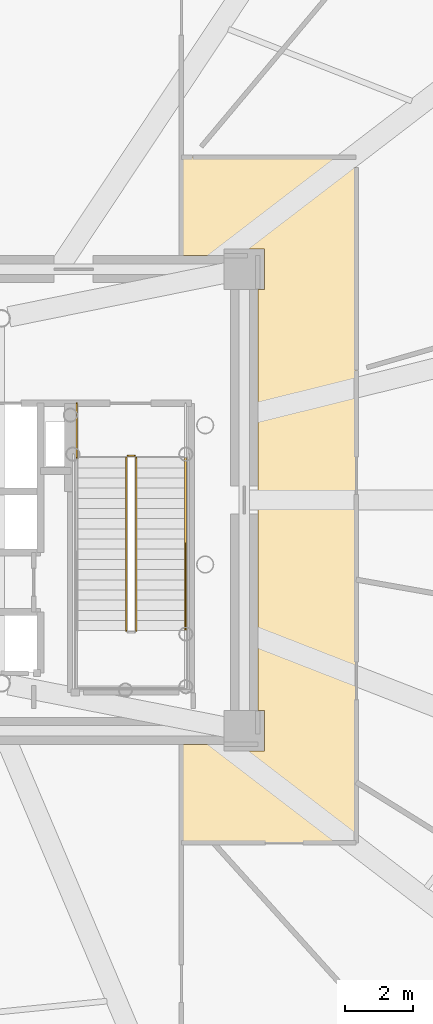
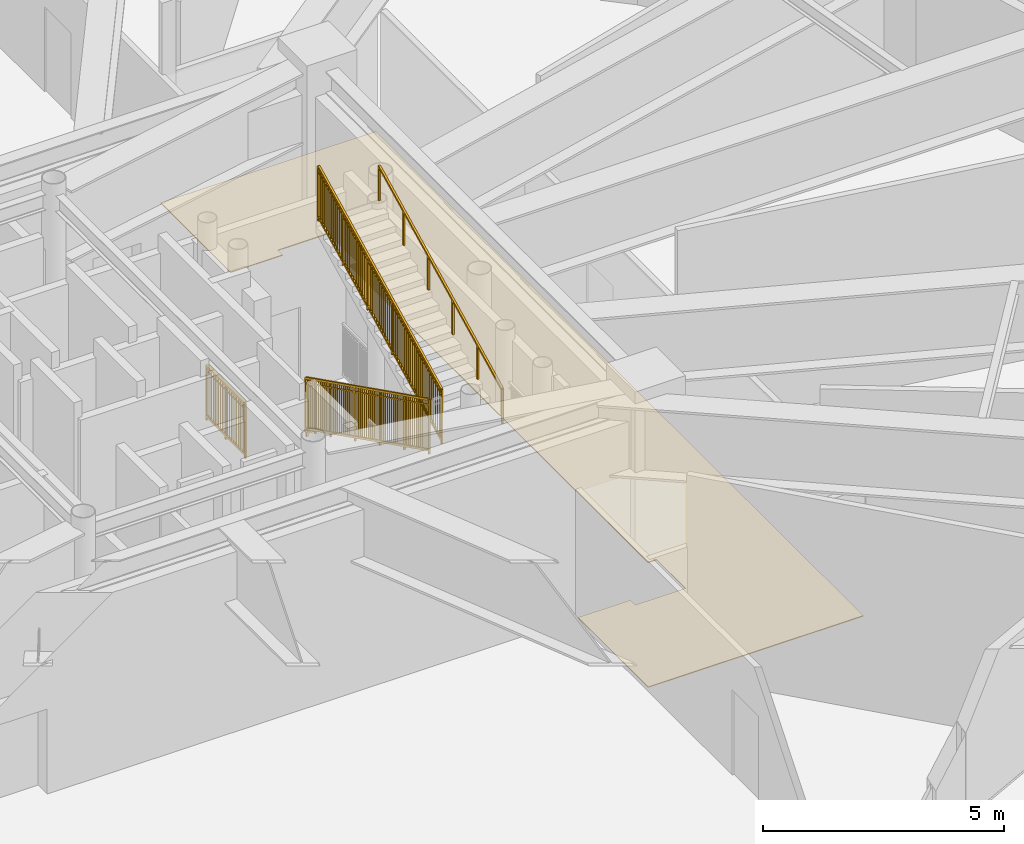
# One storey, part 14 of 15: 5 railings, 1 covering.
"""IFC4 building model written with IfcOpenShell, lengths in metres."""

from ifc_helpers import new_model, si_unit, direction, frame, origin, origin_2d, place, context, subcontext, project, spatial, polyline, rectangle, outline, extrude, source, transform, mapped, material, layer, layer_set, type_object, element, save


model = new_model("IFC4")

# Units and contexts
model_context = context("Model", 3, precision=1e-05, world=origin(), true_north=direction((0.0, 1.0)))
body_context = subcontext(model_context, "Body", "Model", "MODEL_VIEW")
ifc_project = project(units=[si_unit("LENGTHUNIT", "METRE"), si_unit("AREAUNIT", "SQUARE_METRE"), si_unit("VOLUMEUNIT", "CUBIC_METRE"), si_unit("PLANEANGLEUNIT", "RADIAN"), si_unit("MASSUNIT", "GRAM", prefix="KILO")], contexts=[model_context])

# Site, building, storey
site_placement = place(None, origin())
site = spatial("IfcSite", under=ifc_project, at=site_placement, CompositionType="ELEMENT")
building_placement = place(site_placement, origin())
building = spatial("IfcBuilding", under=site, at=building_placement, Name="Linh Dai School and Residence Tower", CompositionType="ELEMENT")
storey_placement = place(building_placement, frame((0.0, 0.0, 145.949951171875)))
storey = spatial("IfcBuildingStorey", under=building, at=storey_placement, Name="L35", CompositionType="ELEMENT", Elevation=145.949951171875)

# Covering
ifc_material_1 = material(Name="Polished Terrazzo Floor Finish", Category="masonry")
ifc_layer = layer(ifc_material_1, 0.02490234375)
ifc_layer_set = layer_set([ifc_layer], Name="Polished Terrazzo Floor Finish")
covering_type = type_object("IfcCoveringType", Name="COV-FLR-TRZ-25", PredefinedType="FLOORING", material=ifc_layer_set)
covering_placement = place(storey_placement, origin())
element("IfcCovering", 1, at=covering_placement, inside=storey, type_object=covering_type, Name="L35 Plant and Refuge Access Corridor East Floor Finish", PredefinedType="FLOORING", context=body_context, shape_type="SweptSolid", body=[
    extrude(outline(polyline([(44.14990234375, 19.800048828125), (45.39990234375, 19.800048828125), (45.39990234375, 19.60009765625), (46.60009765625, 19.60009765625), (46.60009765625, 20.800048828125), (46.39990234375, 20.800048828125), (46.39990234375, 33.199951171875), (46.60009765625, 33.199951171875), (46.60009765625, 34.39990234375), (45.39990234375, 34.39990234375), (45.39990234375, 34.199951171875), (44.14990234375, 34.199951171875), (44.14990234375, 37.10009765625), (49.300048828125, 37.10009765625), (49.300048828125, 16.89990234375), (44.14990234375, 16.89990234375), (44.14990234375, 19.800048828125)])), origin(), (0.0, 0.0, 1.0), 0.02001953125),
])

# Railings
ifc_material_2 = material(Name="Structural Steel S355JR", Category="steel")
railing_type_1 = type_object("IfcRailingType", Name="RL-ST-GUARD-1400", PredefinedType="GUARDRAIL", material=ifc_material_2)
shared_shape_1 = source(origin(), body_context, "Body", "SweptSolid", [
    extrude(rectangle(XDim=0.048095703125, YDim=0.048095703125, at=origin_2d()), frame((0.0, 0.0, 1.3759765625), z_axis=(0.0, 0.894427191, 0.4472135955), x_axis=(-1.0, 0.0, 0.0)), (0.0, 0.0, 1.0), 5.7021484375),
    extrude(rectangle(XDim=0.048095703125, YDim=0.048095703125, at=origin_2d()), frame((0.0, 0.0, 0.10009765625), z_axis=(0.0, 0.894427191, 0.4472135955), x_axis=(-1.0, 0.0, 0.0)), (0.0, 0.0, 1.0), 5.7021484375),
    extrude(rectangle(XDim=0.030029296875, YDim=0.030029296875, at=origin_2d()), frame((0.0, 0.0, 1.239990234375), z_axis=(0.0, 0.894427191, 0.4472135955), x_axis=(-1.0, 0.0, 0.0)), (0.0, 0.0, 1.0), 5.7021484375),
    extrude(rectangle(XDim=0.02001953125, YDim=0.02001953125, at=origin_2d()), frame((0.0, 0.08642578125, 0.143310546875)), (0.0, 0.0, 1.0), 1.251708984375),
    extrude(rectangle(XDim=0.02001953125, YDim=0.02001953125, at=origin_2d()), frame((0.0, 0.1728515625, 0.1865234375)), (0.0, 0.0, 1.0), 1.251708984375),
    extrude(rectangle(XDim=0.02001953125, YDim=0.02001953125, at=origin_2d()), frame((0.0, 0.25927734375, 0.229736328125)), (0.0, 0.0, 1.0), 1.251708984375),
    extrude(rectangle(XDim=0.02001953125, YDim=0.02001953125, at=origin_2d()), frame((0.0, 0.345703125, 0.27294921875)), (0.0, 0.0, 1.0), 1.251708984375),
    extrude(rectangle(XDim=0.02001953125, YDim=0.02001953125, at=origin_2d()), frame((0.0, 0.43212890625, 0.316162109375)), (0.0, 0.0, 1.0), 1.251708984375),
    extrude(rectangle(XDim=0.02001953125, YDim=0.02001953125, at=origin_2d()), frame((0.0, 0.5185546875, 0.359375)), (0.0, 0.0, 1.0), 1.251708984375),
    extrude(rectangle(XDim=0.02001953125, YDim=0.02001953125, at=origin_2d()), frame((0.0, 0.60498046875, 0.402587890625)), (0.0, 0.0, 1.0), 1.251708984375),
    extrude(rectangle(XDim=0.02001953125, YDim=0.02001953125, at=origin_2d()), frame((0.0, 0.691650390625, 0.44580078125)), (0.0, 0.0, 1.0), 1.251708984375),
    extrude(rectangle(XDim=0.02001953125, YDim=0.02001953125, at=origin_2d()), frame((0.0, 0.778076171875, 0.489013671875)), (0.0, 0.0, 1.0), 1.251708984375),
    extrude(rectangle(XDim=0.02001953125, YDim=0.02001953125, at=origin_2d()), frame((0.0, 0.864501953125, 0.5322265625)), (0.0, 0.0, 1.0), 1.251708984375),
    extrude(rectangle(XDim=0.02001953125, YDim=0.02001953125, at=origin_2d()), frame((0.0, 0.950927734375, 0.575439453125)), (0.0, 0.0, 1.0), 1.251708984375),
    extrude(rectangle(XDim=0.02001953125, YDim=0.02001953125, at=origin_2d()), frame((0.0, 1.123779296875, 0.661865234375)), (0.0, 0.0, 1.0), 1.251708984375),
    extrude(rectangle(XDim=0.02001953125, YDim=0.02001953125, at=origin_2d()), frame((0.0, 1.210205078125, 0.705078125)), (0.0, 0.0, 1.0), 1.251708984375),
    extrude(rectangle(XDim=0.02001953125, YDim=0.02001953125, at=origin_2d()), frame((0.0, 1.296630859375, 0.74853515625)), (0.0, 0.0, 1.0), 1.251708984375),
    extrude(rectangle(XDim=0.02001953125, YDim=0.02001953125, at=origin_2d()), frame((0.0, 1.383056640625, 0.791748046875)), (0.0, 0.0, 1.0), 1.251708984375),
    extrude(rectangle(XDim=0.02001953125, YDim=0.02001953125, at=origin_2d()), frame((0.0, 1.469482421875, 0.8349609375)), (0.0, 0.0, 1.0), 1.251708984375),
    extrude(rectangle(XDim=0.02001953125, YDim=0.02001953125, at=origin_2d()), frame((0.0, 1.555908203125, 0.878173828125)), (0.0, 0.0, 1.0), 1.251708984375),
    extrude(rectangle(XDim=0.02001953125, YDim=0.02001953125, at=origin_2d()), frame((0.0, 1.642333984375, 0.92138671875)), (0.0, 0.0, 1.0), 1.251708984375),
    extrude(rectangle(XDim=0.02001953125, YDim=0.02001953125, at=origin_2d()), frame((0.0, 1.728759765625, 0.964599609375)), (0.0, 0.0, 1.0), 1.251708984375),
    extrude(rectangle(XDim=0.02001953125, YDim=0.02001953125, at=origin_2d()), frame((0.0, 1.815185546875, 1.0078125)), (0.0, 0.0, 1.0), 1.251708984375),
    extrude(rectangle(XDim=0.02001953125, YDim=0.02001953125, at=origin_2d()), frame((0.0, 1.901611328125, 1.051025390625)), (0.0, 0.0, 1.0), 1.251708984375),
    extrude(rectangle(XDim=0.02001953125, YDim=0.02001953125, at=origin_2d()), frame((0.0, 1.98828125, 1.09423828125)), (0.0, 0.0, 1.0), 1.251708984375),
    extrude(rectangle(XDim=0.02001953125, YDim=0.02001953125, at=origin_2d()), frame((0.0, 2.1611328125, 1.1806640625)), (0.0, 0.0, 1.0), 1.251708984375),
    extrude(rectangle(XDim=0.02001953125, YDim=0.02001953125, at=origin_2d()), frame((0.0, 2.24755859375, 1.223876953125)), (0.0, 0.0, 1.0), 1.251708984375),
    extrude(rectangle(XDim=0.02001953125, YDim=0.02001953125, at=origin_2d()), frame((0.0, 2.333984375, 1.26708984375)), (0.0, 0.0, 1.0), 1.251708984375),
    extrude(rectangle(XDim=0.02001953125, YDim=0.02001953125, at=origin_2d()), frame((0.0, 2.42041015625, 1.310302734375)), (0.0, 0.0, 1.0), 1.251708984375),
    extrude(rectangle(XDim=0.02001953125, YDim=0.02001953125, at=origin_2d()), frame((0.0, 2.5068359375, 1.353515625)), (0.0, 0.0, 1.0), 1.251708984375),
    extrude(rectangle(XDim=0.02001953125, YDim=0.02001953125, at=origin_2d()), frame((0.0, 2.59326171875, 1.396728515625)), (0.0, 0.0, 1.0), 1.251708984375),
    extrude(rectangle(XDim=0.02001953125, YDim=0.02001953125, at=origin_2d()), frame((0.0, 2.6796875, 1.43994140625)), (0.0, 0.0, 1.0), 1.251708984375),
    extrude(rectangle(XDim=0.02001953125, YDim=0.02001953125, at=origin_2d()), frame((0.0, 2.76611328125, 1.483154296875)), (0.0, 0.0, 1.0), 1.251708984375),
    extrude(rectangle(XDim=0.02001953125, YDim=0.02001953125, at=origin_2d()), frame((0.0, 2.8525390625, 1.5263671875)), (0.0, 0.0, 1.0), 1.251708984375),
    extrude(rectangle(XDim=0.02001953125, YDim=0.02001953125, at=origin_2d()), frame((0.0, 2.93896484375, 1.569580078125)), (0.0, 0.0, 1.0), 1.251708984375),
    extrude(rectangle(XDim=0.02001953125, YDim=0.02001953125, at=origin_2d()), frame((0.0, 3.11181640625, 1.656005859375)), (0.0, 0.0, 1.0), 1.251708984375),
    extrude(rectangle(XDim=0.02001953125, YDim=0.02001953125, at=origin_2d()), frame((0.0, 3.198486328125, 1.69921875)), (0.0, 0.0, 1.0), 1.251708984375),
    extrude(rectangle(XDim=0.02001953125, YDim=0.02001953125, at=origin_2d()), frame((0.0, 3.284912109375, 1.742431640625)), (0.0, 0.0, 1.0), 1.251708984375),
    extrude(rectangle(XDim=0.02001953125, YDim=0.02001953125, at=origin_2d()), frame((0.0, 3.371337890625, 1.78564453125)), (0.0, 0.0, 1.0), 1.251708984375),
    extrude(rectangle(XDim=0.02001953125, YDim=0.02001953125, at=origin_2d()), frame((0.0, 3.457763671875, 1.828857421875)), (0.0, 0.0, 1.0), 1.251708984375),
    extrude(rectangle(XDim=0.02001953125, YDim=0.02001953125, at=origin_2d()), frame((0.0, 3.544189453125, 1.8720703125)), (0.0, 0.0, 1.0), 1.251708984375),
    extrude(rectangle(XDim=0.02001953125, YDim=0.02001953125, at=origin_2d()), frame((0.0, 3.630615234375, 1.915283203125)), (0.0, 0.0, 1.0), 1.251708984375),
    extrude(rectangle(XDim=0.02001953125, YDim=0.02001953125, at=origin_2d()), frame((0.0, 3.717041015625, 1.95849609375)), (0.0, 0.0, 1.0), 1.251708984375),
    extrude(rectangle(XDim=0.02001953125, YDim=0.02001953125, at=origin_2d()), frame((0.0, 3.803466796875, 2.001708984375)), (0.0, 0.0, 1.0), 1.251708984375),
    extrude(rectangle(XDim=0.02001953125, YDim=0.02001953125, at=origin_2d()), frame((0.0, 3.889892578125, 2.045166015625)), (0.0, 0.0, 1.0), 1.251708984375),
    extrude(rectangle(XDim=0.02001953125, YDim=0.02001953125, at=origin_2d()), frame((0.0, 3.976318359375, 2.08837890625)), (0.0, 0.0, 1.0), 1.251708984375),
    extrude(rectangle(XDim=0.02001953125, YDim=0.02001953125, at=origin_2d()), frame((0.0, 4.149169921875, 2.1748046875)), (0.0, 0.0, 1.0), 1.251708984375),
    extrude(rectangle(XDim=0.02001953125, YDim=0.02001953125, at=origin_2d()), frame((0.0, 4.235595703125, 2.218017578125)), (0.0, 0.0, 1.0), 1.251708984375),
    extrude(rectangle(XDim=0.02001953125, YDim=0.02001953125, at=origin_2d()), frame((0.0, 4.322021484375, 2.26123046875)), (0.0, 0.0, 1.0), 1.251708984375),
    extrude(rectangle(XDim=0.02001953125, YDim=0.02001953125, at=origin_2d()), frame((0.0, 4.408447265625, 2.304443359375)), (0.0, 0.0, 1.0), 1.251708984375),
    extrude(rectangle(XDim=0.02001953125, YDim=0.02001953125, at=origin_2d()), frame((0.0, 4.4951171875, 2.34765625)), (0.0, 0.0, 1.0), 1.251708984375),
    extrude(rectangle(XDim=0.02001953125, YDim=0.02001953125, at=origin_2d()), frame((0.0, 4.58154296875, 2.390869140625)), (0.0, 0.0, 1.0), 1.251708984375),
    extrude(rectangle(XDim=0.02001953125, YDim=0.02001953125, at=origin_2d()), frame((0.0, 4.66796875, 2.43408203125)), (0.0, 0.0, 1.0), 1.251708984375),
    extrude(rectangle(XDim=0.02001953125, YDim=0.02001953125, at=origin_2d()), frame((0.0, 4.75439453125, 2.477294921875)), (0.0, 0.0, 1.0), 1.251708984375),
    extrude(rectangle(XDim=0.02001953125, YDim=0.02001953125, at=origin_2d()), frame((0.0, 4.8408203125, 2.5205078125)), (0.0, 0.0, 1.0), 1.251708984375),
    extrude(rectangle(XDim=0.02001953125, YDim=0.02001953125, at=origin_2d()), frame((0.0, 4.92724609375, 2.563720703125)), (0.0, 0.0, 1.0), 1.251708984375),
    extrude(rectangle(XDim=0.02001953125, YDim=0.02001953125, at=origin_2d()), frame((0.0, 5.013671875, 2.60693359375)), (0.0, 0.0, 1.0), 1.251708984375),
    extrude(rectangle(XDim=0.0419921875, YDim=0.0419921875, at=origin_2d()), origin(), (0.0, 0.0, 1.0), 1.3759765625),
    extrude(rectangle(XDim=0.0419921875, YDim=0.0419921875, at=origin_2d()), frame((0.0, 1.02001953125, 0.510009765625)), (0.0, 0.0, 1.0), 1.3759765625),
    extrude(rectangle(XDim=0.0419921875, YDim=0.0419921875, at=origin_2d()), frame((0.0, 2.0400390625, 1.02001953125)), (0.0, 0.0, 1.0), 1.3759765625),
    extrude(rectangle(XDim=0.0419921875, YDim=0.0419921875, at=origin_2d()), frame((0.0, 3.06005859375, 1.530029296875)), (0.0, 0.0, 1.0), 1.3759765625),
    extrude(rectangle(XDim=0.0419921875, YDim=0.0419921875, at=origin_2d()), frame((0.0, 4.080078125, 2.0400390625)), (0.0, 0.0, 1.0), 1.3759765625),
    extrude(rectangle(XDim=0.0419921875, YDim=0.0419921875, at=origin_2d()), frame((0.0, 5.10009765625, 2.550048828125)), (0.0, 0.0, 1.0), 1.3759765625),
])
railing_1_placement = place(storey_placement, frame((42.820068359375, 23.14990234375, 2.85009765625)))
element("IfcRailing", 2, at=railing_1_placement, inside=storey, type_object=railing_type_1, Name="L35 ST2 stair guard 6", PredefinedType="GUARDRAIL", context=body_context, shape_type="MappedRepresentation", body=[
    mapped(shared_shape_1, transform((0.0, 0.0, 0.0), x_axis=(1.0, 0.0, 0.0), y_axis=(0.0, 1.0, 0.0), z_axis=(0.0, 0.0, 1.0), scale=1.0)),
])
shared_shape_2 = source(origin(), body_context, "Body", "SweptSolid", [
    extrude(rectangle(XDim=0.048095703125, YDim=0.048095703125, at=origin_2d()), frame((0.0, 0.0, 1.3759765625), z_axis=(0.0, -0.89444431709, 0.44717934168), x_axis=(1.0, 0.0, 0.0)), (0.0, 0.0, 1.0), 5.701904296875),
    extrude(rectangle(XDim=0.048095703125, YDim=0.048095703125, at=origin_2d()), frame((0.0, 0.0, 0.10009765625), z_axis=(0.0, -0.89444431709, 0.44717934168), x_axis=(1.0, 0.0, 0.0)), (0.0, 0.0, 1.0), 5.701904296875),
    extrude(rectangle(XDim=0.030029296875, YDim=0.030029296875, at=origin_2d()), frame((0.0, 0.0, 1.239990234375), z_axis=(0.0, -0.89444431709, 0.44717934168), x_axis=(1.0, 0.0, 0.0)), (0.0, 0.0, 1.0), 5.701904296875),
    extrude(rectangle(XDim=0.02001953125, YDim=0.02001953125, at=origin_2d()), frame((0.0, -0.08642578125, 0.143310546875)), (0.0, 0.0, 1.0), 1.251708984375),
    extrude(rectangle(XDim=0.02001953125, YDim=0.02001953125, at=origin_2d()), frame((0.0, -0.1728515625, 0.1865234375)), (0.0, 0.0, 1.0), 1.251708984375),
    extrude(rectangle(XDim=0.02001953125, YDim=0.02001953125, at=origin_2d()), frame((0.0, -0.25927734375, 0.229736328125)), (0.0, 0.0, 1.0), 1.251708984375),
    extrude(rectangle(XDim=0.02001953125, YDim=0.02001953125, at=origin_2d()), frame((0.0, -0.345703125, 0.27294921875)), (0.0, 0.0, 1.0), 1.251708984375),
    extrude(rectangle(XDim=0.02001953125, YDim=0.02001953125, at=origin_2d()), frame((0.0, -0.43212890625, 0.316162109375)), (0.0, 0.0, 1.0), 1.251708984375),
    extrude(rectangle(XDim=0.02001953125, YDim=0.02001953125, at=origin_2d()), frame((0.0, -0.5185546875, 0.359375)), (0.0, 0.0, 1.0), 1.251708984375),
    extrude(rectangle(XDim=0.02001953125, YDim=0.02001953125, at=origin_2d()), frame((0.0, -0.60498046875, 0.402587890625)), (0.0, 0.0, 1.0), 1.251708984375),
    extrude(rectangle(XDim=0.02001953125, YDim=0.02001953125, at=origin_2d()), frame((0.0, -0.691650390625, 0.44580078125)), (0.0, 0.0, 1.0), 1.251708984375),
    extrude(rectangle(XDim=0.02001953125, YDim=0.02001953125, at=origin_2d()), frame((0.0, -0.778076171875, 0.489013671875)), (0.0, 0.0, 1.0), 1.251708984375),
    extrude(rectangle(XDim=0.02001953125, YDim=0.02001953125, at=origin_2d()), frame((0.0, -0.864501953125, 0.5322265625)), (0.0, 0.0, 1.0), 1.251708984375),
    extrude(rectangle(XDim=0.02001953125, YDim=0.02001953125, at=origin_2d()), frame((0.0, -0.950927734375, 0.575439453125)), (0.0, 0.0, 1.0), 1.251708984375),
    extrude(rectangle(XDim=0.02001953125, YDim=0.02001953125, at=origin_2d()), frame((0.0, -1.123779296875, 0.661865234375)), (0.0, 0.0, 1.0), 1.251708984375),
    extrude(rectangle(XDim=0.02001953125, YDim=0.02001953125, at=origin_2d()), frame((0.0, -1.210205078125, 0.705078125)), (0.0, 0.0, 1.0), 1.251708984375),
    extrude(rectangle(XDim=0.02001953125, YDim=0.02001953125, at=origin_2d()), frame((0.0, -1.296630859375, 0.748291015625)), (0.0, 0.0, 1.0), 1.251708984375),
    extrude(rectangle(XDim=0.02001953125, YDim=0.02001953125, at=origin_2d()), frame((0.0, -1.383056640625, 0.79150390625)), (0.0, 0.0, 1.0), 1.251708984375),
    extrude(rectangle(XDim=0.02001953125, YDim=0.02001953125, at=origin_2d()), frame((0.0, -1.469482421875, 0.834716796875)), (0.0, 0.0, 1.0), 1.251708984375),
    extrude(rectangle(XDim=0.02001953125, YDim=0.02001953125, at=origin_2d()), frame((0.0, -1.555908203125, 0.8779296875)), (0.0, 0.0, 1.0), 1.251708984375),
    extrude(rectangle(XDim=0.02001953125, YDim=0.02001953125, at=origin_2d()), frame((0.0, -1.642333984375, 0.921142578125)), (0.0, 0.0, 1.0), 1.251708984375),
    extrude(rectangle(XDim=0.02001953125, YDim=0.02001953125, at=origin_2d()), frame((0.0, -1.728759765625, 0.96435546875)), (0.0, 0.0, 1.0), 1.251708984375),
    extrude(rectangle(XDim=0.02001953125, YDim=0.02001953125, at=origin_2d()), frame((0.0, -1.815185546875, 1.007568359375)), (0.0, 0.0, 1.0), 1.251708984375),
    extrude(rectangle(XDim=0.02001953125, YDim=0.02001953125, at=origin_2d()), frame((0.0, -1.901611328125, 1.05078125)), (0.0, 0.0, 1.0), 1.251708984375),
    extrude(rectangle(XDim=0.02001953125, YDim=0.02001953125, at=origin_2d()), frame((0.0, -1.98828125, 1.093994140625)), (0.0, 0.0, 1.0), 1.251708984375),
    extrude(rectangle(XDim=0.02001953125, YDim=0.02001953125, at=origin_2d()), frame((0.0, -2.1611328125, 1.180419921875)), (0.0, 0.0, 1.0), 1.251708984375),
    extrude(rectangle(XDim=0.02001953125, YDim=0.02001953125, at=origin_2d()), frame((0.0, -2.24755859375, 1.2236328125)), (0.0, 0.0, 1.0), 1.251708984375),
    extrude(rectangle(XDim=0.02001953125, YDim=0.02001953125, at=origin_2d()), frame((0.0, -2.333984375, 1.266845703125)), (0.0, 0.0, 1.0), 1.251708984375),
    extrude(rectangle(XDim=0.02001953125, YDim=0.02001953125, at=origin_2d()), frame((0.0, -2.42041015625, 1.31005859375)), (0.0, 0.0, 1.0), 1.251708984375),
    extrude(rectangle(XDim=0.02001953125, YDim=0.02001953125, at=origin_2d()), frame((0.0, -2.5068359375, 1.353271484375)), (0.0, 0.0, 1.0), 1.251708984375),
    extrude(rectangle(XDim=0.02001953125, YDim=0.02001953125, at=origin_2d()), frame((0.0, -2.59326171875, 1.396728515625)), (0.0, 0.0, 1.0), 1.251708984375),
    extrude(rectangle(XDim=0.02001953125, YDim=0.02001953125, at=origin_2d()), frame((0.0, -2.6796875, 1.43994140625)), (0.0, 0.0, 1.0), 1.251708984375),
    extrude(rectangle(XDim=0.02001953125, YDim=0.02001953125, at=origin_2d()), frame((0.0, -2.76611328125, 1.483154296875)), (0.0, 0.0, 1.0), 1.251708984375),
    extrude(rectangle(XDim=0.02001953125, YDim=0.02001953125, at=origin_2d()), frame((0.0, -2.8525390625, 1.5263671875)), (0.0, 0.0, 1.0), 1.251708984375),
    extrude(rectangle(XDim=0.02001953125, YDim=0.02001953125, at=origin_2d()), frame((0.0, -2.93896484375, 1.569580078125)), (0.0, 0.0, 1.0), 1.251708984375),
    extrude(rectangle(XDim=0.02001953125, YDim=0.02001953125, at=origin_2d()), frame((0.0, -3.11181640625, 1.656005859375)), (0.0, 0.0, 1.0), 1.251708984375),
    extrude(rectangle(XDim=0.02001953125, YDim=0.02001953125, at=origin_2d()), frame((0.0, -3.198486328125, 1.69921875)), (0.0, 0.0, 1.0), 1.251708984375),
    extrude(rectangle(XDim=0.02001953125, YDim=0.02001953125, at=origin_2d()), frame((0.0, -3.284912109375, 1.742431640625)), (0.0, 0.0, 1.0), 1.251708984375),
    extrude(rectangle(XDim=0.02001953125, YDim=0.02001953125, at=origin_2d()), frame((0.0, -3.371337890625, 1.78564453125)), (0.0, 0.0, 1.0), 1.251708984375),
    extrude(rectangle(XDim=0.02001953125, YDim=0.02001953125, at=origin_2d()), frame((0.0, -3.457763671875, 1.828857421875)), (0.0, 0.0, 1.0), 1.251708984375),
    extrude(rectangle(XDim=0.02001953125, YDim=0.02001953125, at=origin_2d()), frame((0.0, -3.544189453125, 1.8720703125)), (0.0, 0.0, 1.0), 1.251708984375),
    extrude(rectangle(XDim=0.02001953125, YDim=0.02001953125, at=origin_2d()), frame((0.0, -3.630615234375, 1.915283203125)), (0.0, 0.0, 1.0), 1.251708984375),
    extrude(rectangle(XDim=0.02001953125, YDim=0.02001953125, at=origin_2d()), frame((0.0, -3.717041015625, 1.95849609375)), (0.0, 0.0, 1.0), 1.251708984375),
    extrude(rectangle(XDim=0.02001953125, YDim=0.02001953125, at=origin_2d()), frame((0.0, -3.803466796875, 2.001708984375)), (0.0, 0.0, 1.0), 1.251708984375),
    extrude(rectangle(XDim=0.02001953125, YDim=0.02001953125, at=origin_2d()), frame((0.0, -3.889892578125, 2.044921875)), (0.0, 0.0, 1.0), 1.251708984375),
    extrude(rectangle(XDim=0.02001953125, YDim=0.02001953125, at=origin_2d()), frame((0.0, -3.976318359375, 2.088134765625)), (0.0, 0.0, 1.0), 1.251708984375),
    extrude(rectangle(XDim=0.02001953125, YDim=0.02001953125, at=origin_2d()), frame((0.0, -4.149169921875, 2.174560546875)), (0.0, 0.0, 1.0), 1.251708984375),
    extrude(rectangle(XDim=0.02001953125, YDim=0.02001953125, at=origin_2d()), frame((0.0, -4.235595703125, 2.2177734375)), (0.0, 0.0, 1.0), 1.251708984375),
    extrude(rectangle(XDim=0.02001953125, YDim=0.02001953125, at=origin_2d()), frame((0.0, -4.322021484375, 2.260986328125)), (0.0, 0.0, 1.0), 1.251708984375),
    extrude(rectangle(XDim=0.02001953125, YDim=0.02001953125, at=origin_2d()), frame((0.0, -4.408447265625, 2.30419921875)), (0.0, 0.0, 1.0), 1.251708984375),
    extrude(rectangle(XDim=0.02001953125, YDim=0.02001953125, at=origin_2d()), frame((0.0, -4.4951171875, 2.347412109375)), (0.0, 0.0, 1.0), 1.251708984375),
    extrude(rectangle(XDim=0.02001953125, YDim=0.02001953125, at=origin_2d()), frame((0.0, -4.58154296875, 2.390625)), (0.0, 0.0, 1.0), 1.251708984375),
    extrude(rectangle(XDim=0.02001953125, YDim=0.02001953125, at=origin_2d()), frame((0.0, -4.66796875, 2.433837890625)), (0.0, 0.0, 1.0), 1.251708984375),
    extrude(rectangle(XDim=0.02001953125, YDim=0.02001953125, at=origin_2d()), frame((0.0, -4.75439453125, 2.47705078125)), (0.0, 0.0, 1.0), 1.251708984375),
    extrude(rectangle(XDim=0.02001953125, YDim=0.02001953125, at=origin_2d()), frame((0.0, -4.8408203125, 2.520263671875)), (0.0, 0.0, 1.0), 1.251708984375),
    extrude(rectangle(XDim=0.02001953125, YDim=0.02001953125, at=origin_2d()), frame((0.0, -4.92724609375, 2.5634765625)), (0.0, 0.0, 1.0), 1.251708984375),
    extrude(rectangle(XDim=0.02001953125, YDim=0.02001953125, at=origin_2d()), frame((0.0, -5.013671875, 2.606689453125)), (0.0, 0.0, 1.0), 1.251708984375),
    extrude(rectangle(XDim=0.0419921875, YDim=0.0419921875, at=origin_2d()), origin(), (0.0, 0.0, 1.0), 1.3759765625),
    extrude(rectangle(XDim=0.0419921875, YDim=0.0419921875, at=origin_2d()), frame((0.0, -1.02001953125, 0.510009765625)), (0.0, 0.0, 1.0), 1.3759765625),
    extrude(rectangle(XDim=0.0419921875, YDim=0.0419921875, at=origin_2d()), frame((0.0, -2.0400390625, 1.02001953125)), (0.0, 0.0, 1.0), 1.3759765625),
    extrude(rectangle(XDim=0.0419921875, YDim=0.0419921875, at=origin_2d()), frame((0.0, -3.06005859375, 1.52978515625)), (0.0, 0.0, 1.0), 1.3759765625),
    extrude(rectangle(XDim=0.0419921875, YDim=0.0419921875, at=origin_2d()), frame((0.0, -4.080078125, 2.039794921875)), (0.0, 0.0, 1.0), 1.3759765625),
    extrude(rectangle(XDim=0.0419921875, YDim=0.0419921875, at=origin_2d()), frame((0.0, -5.10009765625, 2.5498046875)), (0.0, 0.0, 1.0), 1.3759765625),
])
railing_2_placement = place(storey_placement, frame((42.52001953125, 28.25, 0.150146484375)))
element("IfcRailing", 3, at=railing_2_placement, inside=storey, type_object=railing_type_1, Name="L35 ST2 stair guard 1", PredefinedType="GUARDRAIL", context=body_context, shape_type="MappedRepresentation", body=[
    mapped(shared_shape_2, transform((0.0, 0.0, 0.0), x_axis=(1.0, 0.0, 0.0), y_axis=(0.0, 1.0, 0.0), z_axis=(0.0, 0.0, 1.0), scale=1.0)),
])
ifc_material_3 = material(Name="Brushed Stainless Steel Handrail", Category="steel")
railing_type_2 = type_object("IfcRailingType", Name="RL-ST-HANDRAIL-900", PredefinedType="HANDRAIL", material=ifc_material_3)
shared_shape_3 = source(origin(), body_context, "Body", "SweptSolid", [
    extrude(rectangle(XDim=0.048095703125, YDim=0.048095703125, at=origin_2d()), frame((0.0, 0.0, 0.8759765625), z_axis=(0.0, 0.894427191, 0.4472135955), x_axis=(-1.0, 0.0, 0.0)), (0.0, 0.0, 1.0), 5.7021484375),
    extrude(rectangle(XDim=0.0419921875, YDim=0.0419921875, at=origin_2d()), origin(), (0.0, 0.0, 1.0), 0.8759765625),
    extrude(rectangle(XDim=0.0419921875, YDim=0.0419921875, at=origin_2d()), frame((0.0, 1.02001953125, 0.510009765625)), (0.0, 0.0, 1.0), 0.8759765625),
    extrude(rectangle(XDim=0.0419921875, YDim=0.0419921875, at=origin_2d()), frame((0.0, 2.0400390625, 1.02001953125)), (0.0, 0.0, 1.0), 0.8759765625),
    extrude(rectangle(XDim=0.0419921875, YDim=0.0419921875, at=origin_2d()), frame((0.0, 3.06005859375, 1.530029296875)), (0.0, 0.0, 1.0), 0.8759765625),
    extrude(rectangle(XDim=0.0419921875, YDim=0.0419921875, at=origin_2d()), frame((0.0, 4.080078125, 2.0400390625)), (0.0, 0.0, 1.0), 0.8759765625),
    extrude(rectangle(XDim=0.0419921875, YDim=0.0419921875, at=origin_2d()), frame((0.0, 5.10009765625, 2.550048828125)), (0.0, 0.0, 1.0), 0.8759765625),
])
railing_3_placement = place(storey_placement, frame((44.27001953125, 23.14990234375, 2.85009765625)))
element("IfcRailing", 4, at=railing_3_placement, inside=storey, type_object=railing_type_2, Name="L35 ST2 stair handrail 2", PredefinedType="HANDRAIL", context=body_context, shape_type="MappedRepresentation", body=[
    mapped(shared_shape_3, transform((0.0, 0.0, 0.0), x_axis=(1.0, 0.0, 0.0), y_axis=(0.0, 1.0, 0.0), z_axis=(0.0, 0.0, 1.0), scale=1.0)),
])
shared_shape_4 = source(origin(), body_context, "Body", "SweptSolid", [
    extrude(rectangle(XDim=0.048095703125, YDim=0.048095703125, at=origin_2d()), frame((0.0, 0.0, 1.3759765625), z_axis=(1.0, 0.0, 0.0), x_axis=(0.0, 1.0, 0.0)), (0.0, 0.0, 1.0), 0.199951171875),
    extrude(rectangle(XDim=0.048095703125, YDim=0.048095703125, at=origin_2d()), frame((0.0, 0.0, 0.10009765625), z_axis=(1.0, 0.0, 0.0), x_axis=(0.0, 1.0, 0.0)), (0.0, 0.0, 1.0), 0.199951171875),
    extrude(rectangle(XDim=0.030029296875, YDim=0.030029296875, at=origin_2d()), frame((0.0, 0.0, 1.239990234375), z_axis=(1.0, 0.0, 0.0), x_axis=(0.0, 1.0, 0.0)), (0.0, 0.0, 1.0), 0.199951171875),
    extrude(rectangle(XDim=0.0419921875, YDim=0.0419921875, at=origin_2d()), origin(), (0.0, 0.0, 1.0), 1.3759765625),
    extrude(rectangle(XDim=0.0419921875, YDim=0.0419921875, at=origin_2d()), frame((0.199951171875, 0.0, 0.0)), (0.0, 0.0, 1.0), 1.3759765625),
])
railing_4_placement = place(storey_placement, frame((42.570068359375, 28.300048828125, 0.0)))
element("IfcRailing", 5, at=railing_4_placement, inside=storey, type_object=railing_type_1, Name="L35 ST2 stair guard 7", PredefinedType="GUARDRAIL", context=body_context, shape_type="MappedRepresentation", body=[
    mapped(shared_shape_4, transform((0.0, 0.0, 0.0), x_axis=(1.0, 0.0, 0.0), y_axis=(0.0, 1.0, 0.0), z_axis=(0.0, 0.0, 1.0), scale=1.0)),
])
shared_shape_5 = source(origin(), body_context, "Body", "SweptSolid", [
    extrude(rectangle(XDim=0.048095703125, YDim=0.048095703125, at=origin_2d()), frame((0.0, 0.0, 1.3759765625), z_axis=(0.0, -1.0, 0.0), x_axis=(1.0, 0.0, 0.0)), (0.0, 0.0, 1.0), 1.60009765625),
    extrude(rectangle(XDim=0.048095703125, YDim=0.048095703125, at=origin_2d()), frame((0.0, 0.0, 0.10009765625), z_axis=(0.0, -1.0, 0.0), x_axis=(1.0, 0.0, 0.0)), (0.0, 0.0, 1.0), 1.60009765625),
    extrude(rectangle(XDim=0.030029296875, YDim=0.030029296875, at=origin_2d()), frame((0.0, 0.0, 1.239990234375), z_axis=(0.0, -1.0, 0.0), x_axis=(1.0, 0.0, 0.0)), (0.0, 0.0, 1.0), 1.60009765625),
    extrude(rectangle(XDim=0.02001953125, YDim=0.02001953125, at=origin_2d()), frame((0.0, -0.09423828125, 0.10009765625)), (0.0, 0.0, 1.0), 1.251708984375),
    extrude(rectangle(XDim=0.02001953125, YDim=0.02001953125, at=origin_2d()), frame((0.0, -0.188232421875, 0.10009765625)), (0.0, 0.0, 1.0), 1.251708984375),
    extrude(rectangle(XDim=0.02001953125, YDim=0.02001953125, at=origin_2d()), frame((0.0, -0.282470703125, 0.10009765625)), (0.0, 0.0, 1.0), 1.251708984375),
    extrude(rectangle(XDim=0.02001953125, YDim=0.02001953125, at=origin_2d()), frame((0.0, -0.37646484375, 0.10009765625)), (0.0, 0.0, 1.0), 1.251708984375),
    extrude(rectangle(XDim=0.02001953125, YDim=0.02001953125, at=origin_2d()), frame((0.0, -0.470703125, 0.10009765625)), (0.0, 0.0, 1.0), 1.251708984375),
    extrude(rectangle(XDim=0.02001953125, YDim=0.02001953125, at=origin_2d()), frame((0.0, -0.564697265625, 0.10009765625)), (0.0, 0.0, 1.0), 1.251708984375),
    extrude(rectangle(XDim=0.02001953125, YDim=0.02001953125, at=origin_2d()), frame((0.0, -0.658935546875, 0.10009765625)), (0.0, 0.0, 1.0), 1.251708984375),
    extrude(rectangle(XDim=0.02001953125, YDim=0.02001953125, at=origin_2d()), frame((0.0, -0.7529296875, 0.10009765625)), (0.0, 0.0, 1.0), 1.251708984375),
    extrude(rectangle(XDim=0.02001953125, YDim=0.02001953125, at=origin_2d()), frame((0.0, -0.84716796875, 0.10009765625)), (0.0, 0.0, 1.0), 1.251708984375),
    extrude(rectangle(XDim=0.02001953125, YDim=0.02001953125, at=origin_2d()), frame((0.0, -0.941162109375, 0.10009765625)), (0.0, 0.0, 1.0), 1.251708984375),
    extrude(rectangle(XDim=0.02001953125, YDim=0.02001953125, at=origin_2d()), frame((0.0, -1.035400390625, 0.10009765625)), (0.0, 0.0, 1.0), 1.251708984375),
    extrude(rectangle(XDim=0.02001953125, YDim=0.02001953125, at=origin_2d()), frame((0.0, -1.12939453125, 0.10009765625)), (0.0, 0.0, 1.0), 1.251708984375),
    extrude(rectangle(XDim=0.02001953125, YDim=0.02001953125, at=origin_2d()), frame((0.0, -1.2236328125, 0.10009765625)), (0.0, 0.0, 1.0), 1.251708984375),
    extrude(rectangle(XDim=0.02001953125, YDim=0.02001953125, at=origin_2d()), frame((0.0, -1.317626953125, 0.10009765625)), (0.0, 0.0, 1.0), 1.251708984375),
    extrude(rectangle(XDim=0.02001953125, YDim=0.02001953125, at=origin_2d()), frame((0.0, -1.411865234375, 0.10009765625)), (0.0, 0.0, 1.0), 1.251708984375),
    extrude(rectangle(XDim=0.02001953125, YDim=0.02001953125, at=origin_2d()), frame((0.0, -1.505859375, 0.10009765625)), (0.0, 0.0, 1.0), 1.251708984375),
    extrude(rectangle(XDim=0.0419921875, YDim=0.0419921875, at=origin_2d()), origin(), (0.0, 0.0, 1.0), 1.3759765625),
    extrude(rectangle(XDim=0.0419921875, YDim=0.0419921875, at=origin_2d()), frame((0.0, -0.800048828125, 0.0)), (0.0, 0.0, 1.0), 1.3759765625),
    extrude(rectangle(XDim=0.0419921875, YDim=0.0419921875, at=origin_2d()), frame((0.0, -1.60009765625, 0.0)), (0.0, 0.0, 1.0), 1.3759765625),
])
railing_5_placement = place(storey_placement, frame((41.070068359375, 29.85009765625, 0.0)))
element("IfcRailing", 6, at=railing_5_placement, inside=storey, type_object=railing_type_1, Name="L35 ST2 stair guard 8", PredefinedType="GUARDRAIL", context=body_context, shape_type="MappedRepresentation", body=[
    mapped(shared_shape_5, transform((0.0, 0.0, 0.0), x_axis=(1.0, 0.0, 0.0), y_axis=(0.0, 1.0, 0.0), z_axis=(0.0, 0.0, 1.0), scale=1.0)),
])

save(model, "model.ifc")
